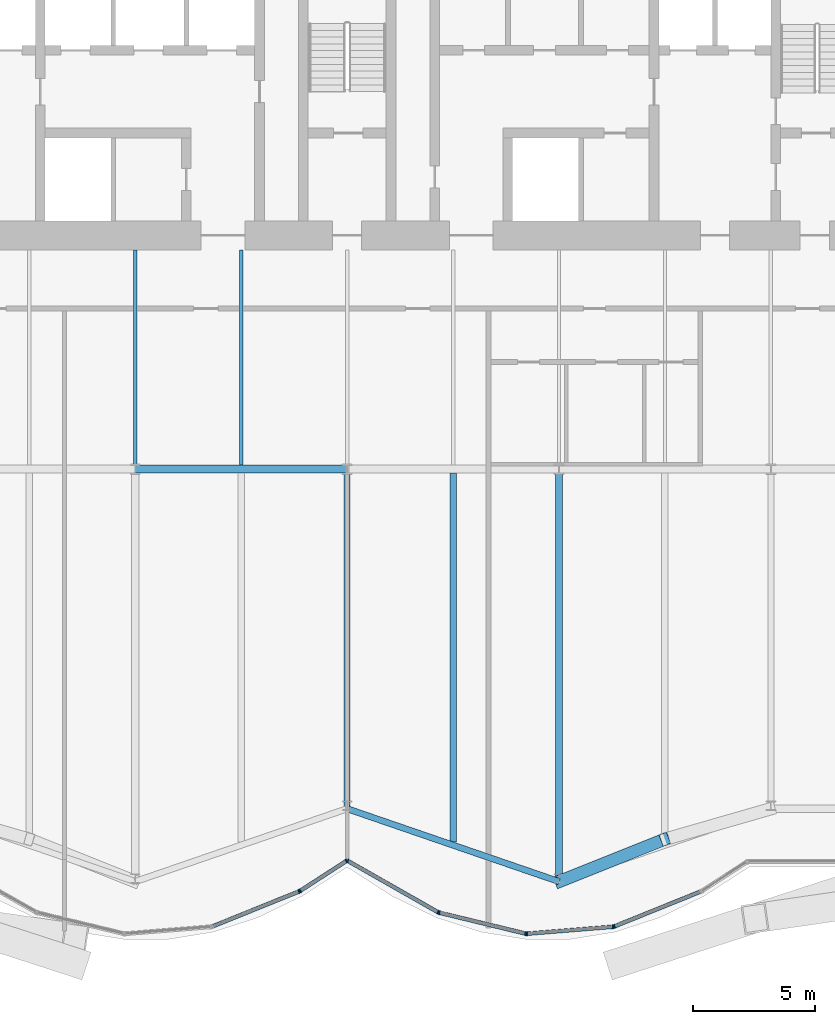
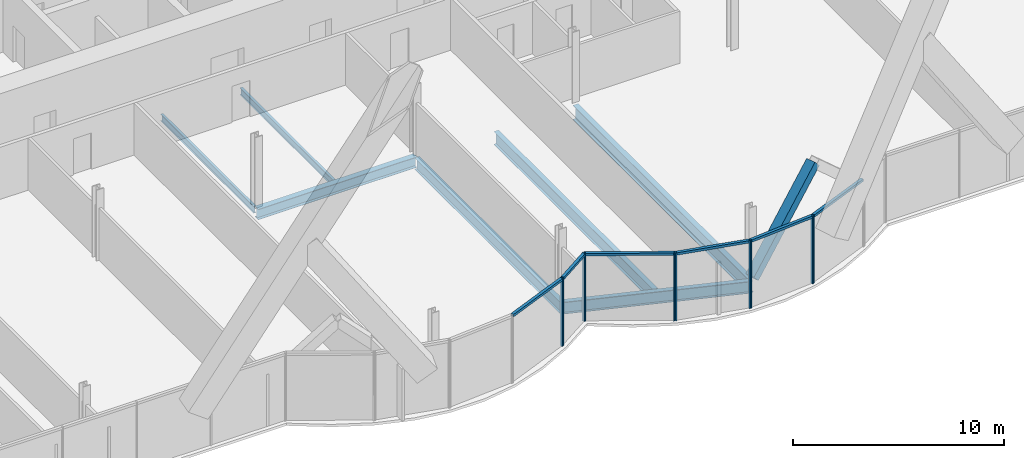
# One storey, part 8 of 22: 17 members, 7 beams, 2 elements without a shape of their own.
"""IFC4 building model written with IfcOpenShell, lengths in metres."""

from ifc_helpers import new_model, si_unit, direction, frame, origin, origin_2d, place, context, subcontext, project, spatial, rectangle, hollow_rectangle, i_section, extrude, material, material_profile, profile_set, type_object, element, aggregate, save


model = new_model("IFC4")

# Units and contexts
model_context = context("Model", 3, precision=1e-05, world=origin(), true_north=direction((0.0, 1.0)))
body_context = subcontext(model_context, "Body", "Model", "MODEL_VIEW")
ifc_project = project(units=[si_unit("LENGTHUNIT", "METRE"), si_unit("AREAUNIT", "SQUARE_METRE"), si_unit("VOLUMEUNIT", "CUBIC_METRE"), si_unit("PLANEANGLEUNIT", "RADIAN"), si_unit("MASSUNIT", "GRAM", prefix="KILO")], contexts=[model_context])

# Site, building, storey
site_placement = place(None, origin())
site = spatial("IfcSite", under=ifc_project, at=site_placement, CompositionType="ELEMENT")
building_placement = place(site_placement, origin())
building = spatial("IfcBuilding", under=site, at=building_placement, Name="Bicima Exchange Tower", CompositionType="ELEMENT")
storey_placement = place(building_placement, frame((0.0, 0.0, 102.199951171875)))
storey = spatial("IfcBuildingStorey", under=building, at=storey_placement, Name="L21", CompositionType="ELEMENT", Elevation=102.199951171875)

# Beams
ifc_material_1 = material(Name="Steel ASTM A992 Gr 50", Category="steel")
ifc_material_profile_1 = material_profile(ifc_material_1, i_section(OverallWidth=0.140380859375, OverallDepth=0.40380859375, WebThickness=0.007080078125, FlangeThickness=0.01123046875, at=origin_2d()))
ifc_profile_set_1 = profile_set([ifc_material_profile_1], Name="Steel ASTM A992 Gr 50")
beam_type_1 = type_object("IfcBeamType", Name="Floor beam W16x31", PredefinedType="JOIST", material=ifc_profile_set_1)
for number, where, z_axis, x_axis, name in (
    (1, (-8.699951171875, -13.0, -0.351806640625), (0.0, -1.0, 0.0), (1.0, 0.0, 0.0), "Floor beam"),
    (2, (-4.35009765625, -13.0, -0.351806640625), (0.0, -1.0, 0.0), (1.0, 0.0, 0.0), "Floor beam"),
):
    element("IfcBeam", number, at=place(storey_placement, frame(where, z_axis=z_axis, x_axis=x_axis)), inside=storey, type_object=beam_type_1, Name=name, PredefinedType="JOIST", context=body_context, shape_type="SweptSolid", body=[
        extrude(i_section(OverallWidth=0.140380859375, OverallDepth=0.40380859375, WebThickness=0.007080078125, FlangeThickness=0.01123046875, at=origin_2d()), origin(), (0.0, 0.0, 1.0), 8.83740234375),
    ])
ifc_material_profile_2 = material_profile(ifc_material_1, i_section(OverallWidth=0.25390625, OverallDepth=0.67822265625, WebThickness=0.01171875, FlangeThickness=0.016357421875, at=origin_2d()))
ifc_profile_set_2 = profile_set([ifc_material_profile_2], Name="Steel ASTM A992 Gr 50")
beam_type_2 = type_object("IfcBeamType", Name="Floor beam W27x84", PredefinedType="JOIST", material=ifc_profile_set_2)
beam_1_placement = place(storey_placement, frame((0.0, -22.16259765625, -0.489013671875), z_axis=(0.0, -1.0, 0.0), x_axis=(1.0, 0.0, 0.0)))
element("IfcBeam", 3, at=beam_1_placement, inside=storey, type_object=beam_type_2, Name="Floor beam", PredefinedType="JOIST", context=body_context, shape_type="SweptSolid", body=[
    extrude(i_section(OverallWidth=0.25390625, OverallDepth=0.67822265625, WebThickness=0.01171875, FlangeThickness=0.016357421875, at=origin_2d()), origin(), (0.0, 0.0, 1.0), 13.77734375),
])
ifc_material_profile_3 = material_profile(ifc_material_1, i_section(OverallWidth=0.2666015625, OverallDepth=0.75439453125, WebThickness=0.01318359375, FlangeThickness=0.01708984375, at=origin_2d()))
ifc_profile_set_3 = profile_set([ifc_material_profile_3], Name="Steel ASTM A992 Gr 50")
beam_type_3 = type_object("IfcBeamType", Name="Floor beam W30x99", PredefinedType="JOIST", material=ifc_profile_set_3)
beam_2_placement = place(storey_placement, frame((4.35009765625, -22.16259765625, -0.527099609375), z_axis=(0.0, -1.0, 0.0), x_axis=(1.0, 0.0, 0.0)))
element("IfcBeam", 4, at=beam_2_placement, inside=storey, type_object=beam_type_3, Name="Floor beam", PredefinedType="JOIST", context=body_context, shape_type="SweptSolid", body=[
    extrude(i_section(OverallWidth=0.2666015625, OverallDepth=0.75439453125, WebThickness=0.01318359375, FlangeThickness=0.01708984375, at=origin_2d()), origin(), (0.0, 0.0, 1.0), 15.13720703125),
])
ifc_material_profile_4 = material_profile(ifc_material_1, i_section(OverallWidth=0.2919921875, OverallDepth=0.835693359375, WebThickness=0.013916015625, FlangeThickness=0.018798828125, at=origin_2d()))
ifc_profile_set_4 = profile_set([ifc_material_profile_4], Name="Steel ASTM A992 Gr 50")
beam_type_4 = type_object("IfcBeamType", Name="Floor beam W33x118", PredefinedType="JOIST", material=ifc_profile_set_4)
beam_3_placement = place(storey_placement, frame((8.699951171875, -22.16259765625, -0.56787109375), z_axis=(0.0, -1.0, 0.0), x_axis=(1.0, 0.0, 0.0)))
element("IfcBeam", 5, at=beam_3_placement, inside=storey, type_object=beam_type_4, Name="Floor beam", PredefinedType="JOIST", context=body_context, shape_type="SweptSolid", body=[
    extrude(i_section(OverallWidth=0.2919921875, OverallDepth=0.835693359375, WebThickness=0.013916015625, FlangeThickness=0.018798828125, at=origin_2d()), origin(), (0.0, 0.0, 1.0), 16.6328125),
])
ifc_material_profile_5 = material_profile(ifc_material_1, i_section(OverallWidth=0.256591796875, OverallDepth=0.693359375, WebThickness=0.014404296875, FlangeThickness=0.023681640625, at=origin_2d()))
ifc_profile_set_5 = profile_set([ifc_material_profile_5], Name="Steel ASTM A992 Gr 50")
beam_type_5 = type_object("IfcBeamType", Name="Front girder W27x114", PredefinedType="BEAM", material=ifc_profile_set_5)
beam_4_placement = place(storey_placement, frame((0.0, -35.93994140625, -0.49658203125), z_axis=(0.945666456746, -0.325138359143, 0.0), x_axis=(0.325138359143, 0.945666456746, 0.0)))
element("IfcBeam", 6, at=beam_4_placement, inside=storey, type_object=beam_type_5, Name="Front girder", PredefinedType="BEAM", context=body_context, shape_type="SweptSolid", body=[
    extrude(i_section(OverallWidth=0.256591796875, OverallDepth=0.693359375, WebThickness=0.014404296875, FlangeThickness=0.023681640625, at=origin_2d()), origin(), (0.0, 0.0, 1.0), 9.19970703125),
])

# Curtain wall, members
ifc_material_2 = material(Name="Anodised bronze aluminium", Category="aluminium")
curtain_wall_type = type_object("IfcCurtainWallType", Name="Front glass wall", PredefinedType="NOTDEFINED", material=ifc_material_2)
curtain_wall_1_placement = place(storey_placement, origin())
curtain_wall_1 = element("IfcCurtainWall", 7, at=curtain_wall_1_placement, inside=storey, type_object=curtain_wall_type, Name="Front glass wall L21 run 6", PredefinedType="NOTDEFINED")
ifc_material_profile_6 = material_profile(ifc_material_2, rectangle(XDim=0.159912109375, YDim=0.06005859375, at=origin_2d()))
ifc_profile_set_6 = profile_set([ifc_material_profile_6], Name="Anodised bronze aluminium")
member_type_1 = type_object("IfcMemberType", Name="Front glass wall mullion 60 x 160", PredefinedType="MULLION", material=ifc_profile_set_6)
member_1_placement = place(storey_placement, frame((-1.97412109375, -39.335693359375, 0.0), z_axis=(0.0, 0.0, 1.0), x_axis=(-0.374705304, 0.92714396679, 0.0)))
member_1 = element("IfcMember", 8, at=member_1_placement, type_object=member_type_1, Name="Front glass wall mullion 2", PredefinedType="MULLION", context=body_context, shape_type="SweptSolid", body=[
    extrude(rectangle(XDim=0.159912109375, YDim=0.06005859375, at=origin_2d()), origin(), (0.0, 0.0, 1.0), 3.949951171875),
])
member_2_placement = place(storey_placement, frame((-1.921142578125, -39.30810546875, 0.0), z_axis=(0.0, 0.0, 1.0), x_axis=(-0.542897457326, 0.839798994301, 0.0)))
member_2 = element("IfcMember", 9, at=member_2_placement, type_object=member_type_1, Name="Front glass wall mullion 1", PredefinedType="MULLION", context=body_context, shape_type="SweptSolid", body=[
    extrude(rectangle(XDim=0.159912109375, YDim=0.06005859375, at=origin_2d()), origin(), (0.0, 0.0, 1.0), 3.949951171875),
])
member_3_placement = place(storey_placement, frame((-0.025146484375, -38.08251953125, 0.0), z_axis=(0.0, 0.0, 1.0), x_axis=(-0.542897457326, 0.839798994301, 0.0)))
member_3 = element("IfcMember", 10, at=member_3_placement, type_object=member_type_1, Name="Front glass wall mullion 2", PredefinedType="MULLION", context=body_context, shape_type="SweptSolid", body=[
    extrude(rectangle(XDim=0.159912109375, YDim=0.06005859375, at=origin_2d()), origin(), (0.0, 0.0, 1.0), 3.949951171875),
])

curtain_wall_2_placement = place(storey_placement, origin())
curtain_wall_2 = element("IfcCurtainWall", 11, at=curtain_wall_2_placement, inside=storey, type_object=curtain_wall_type, Name="Front glass wall L21 run 11", PredefinedType="NOTDEFINED")
member_4_placement = place(storey_placement, frame((0.026123046875, -38.0810546875, 0.0), z_axis=(0.0, 0.0, 1.0), x_axis=(0.494330311331, 0.869274147378, 0.0)))
member_4 = element("IfcMember", 12, at=member_4_placement, type_object=member_type_1, Name="Front glass wall mullion 1", PredefinedType="MULLION", context=body_context, shape_type="SweptSolid", body=[
    extrude(rectangle(XDim=0.159912109375, YDim=0.06005859375, at=origin_2d()), origin(), (0.0, 0.0, 1.0), 3.949951171875),
])
member_5_placement = place(storey_placement, frame((3.7265625, -40.185302734375, 0.0), z_axis=(0.0, 0.0, 1.0), x_axis=(0.494330311331, 0.869274147378, 0.0)))
member_5 = element("IfcMember", 13, at=member_5_placement, type_object=member_type_1, Name="Front glass wall mullion 2", PredefinedType="MULLION", context=body_context, shape_type="SweptSolid", body=[
    extrude(rectangle(XDim=0.159912109375, YDim=0.06005859375, at=origin_2d()), origin(), (0.0, 0.0, 1.0), 3.949951171875),
])
member_6_placement = place(storey_placement, frame((3.781982421875, -40.207275390625, 0.0), z_axis=(0.0, 0.0, 1.0), x_axis=(0.235681529503, 0.971830343553, 0.0)))
member_6 = element("IfcMember", 14, at=member_6_placement, type_object=member_type_1, Name="Front glass wall mullion 1", PredefinedType="MULLION", context=body_context, shape_type="SweptSolid", body=[
    extrude(rectangle(XDim=0.159912109375, YDim=0.06005859375, at=origin_2d()), origin(), (0.0, 0.0, 1.0), 3.949951171875),
])
member_7_placement = place(storey_placement, frame((7.322509765625, -41.06591796875, 0.0), z_axis=(0.0, 0.0, 1.0), x_axis=(0.235681529503, 0.971830343553, 0.0)))
member_7 = element("IfcMember", 15, at=member_7_placement, type_object=member_type_1, Name="Front glass wall mullion 2", PredefinedType="MULLION", context=body_context, shape_type="SweptSolid", body=[
    extrude(rectangle(XDim=0.159912109375, YDim=0.06005859375, at=origin_2d()), origin(), (0.0, 0.0, 1.0), 3.949951171875),
])
member_8_placement = place(storey_placement, frame((7.381591796875, -41.070556640625, 0.0), z_axis=(0.0, 0.0, 1.0), x_axis=(-0.080588612633, 0.99674744821, 0.0)))
member_8 = element("IfcMember", 16, at=member_8_placement, type_object=member_type_1, Name="Front glass wall mullion 1", PredefinedType="MULLION", context=body_context, shape_type="SweptSolid", body=[
    extrude(rectangle(XDim=0.159912109375, YDim=0.06005859375, at=origin_2d()), origin(), (0.0, 0.0, 1.0), 3.949951171875),
])
member_9_placement = place(storey_placement, frame((10.916015625, -40.784912109375, 0.0), z_axis=(0.0, 0.0, 1.0), x_axis=(-0.080588612633, 0.99674744821, 0.0)))
member_9 = element("IfcMember", 17, at=member_9_placement, type_object=member_type_1, Name="Front glass wall mullion 2", PredefinedType="MULLION", context=body_context, shape_type="SweptSolid", body=[
    extrude(rectangle(XDim=0.159912109375, YDim=0.06005859375, at=origin_2d()), origin(), (0.0, 0.0, 1.0), 3.949951171875),
])
member_10_placement = place(storey_placement, frame((10.973876953125, -40.771240234375, 0.0), z_axis=(0.0, 0.0, 1.0), x_axis=(-0.374705304, 0.92714396679, 0.0)))
member_10 = element("IfcMember", 18, at=member_10_placement, type_object=member_type_1, Name="Front glass wall mullion 1", PredefinedType="MULLION", context=body_context, shape_type="SweptSolid", body=[
    extrude(rectangle(XDim=0.159912109375, YDim=0.06005859375, at=origin_2d()), origin(), (0.0, 0.0, 1.0), 3.949951171875),
])

# Member
ifc_material_profile_7 = material_profile(ifc_material_2, rectangle(XDim=0.159912109375, YDim=0.139892578125, at=origin_2d()))
ifc_profile_set_7 = profile_set([ifc_material_profile_7], Name="Anodised bronze aluminium")
member_type_2 = type_object("IfcMemberType", Name="Front glass wall transom 140 x 160", PredefinedType="USERDEFINED", material=ifc_profile_set_7)
member_11_placement = place(storey_placement, frame((-5.498291015625, -40.760009765625, 3.880126953125), z_axis=(0.927117723275, 0.374770232528, 0.0), x_axis=(-0.374770232528, 0.927117723275, 0.0)))
member_11 = element("IfcMember", 19, at=member_11_placement, type_object=member_type_2, Name="Front glass wall transom 1.1", ObjectType="TRANSOM", PredefinedType="USERDEFINED", context=body_context, shape_type="SweptSolid", body=[
    extrude(rectangle(XDim=0.159912109375, YDim=0.139892578125, at=origin_2d()), origin(), (0.0, 0.0, 1.0), 3.771240234375),
])

member_12_placement = place(storey_placement, frame((-1.89599609375, -39.291748046875, 3.880126953125), z_axis=(0.839811483481, 0.542878137536, 0.0), x_axis=(-0.542878137536, 0.839811483481, 0.0)))
member_12 = element("IfcMember", 20, at=member_12_placement, type_object=member_type_2, Name="Front glass wall transom 1.1", ObjectType="TRANSOM", PredefinedType="USERDEFINED", context=body_context, shape_type="SweptSolid", body=[
    extrude(rectangle(XDim=0.159912109375, YDim=0.139892578125, at=origin_2d()), origin(), (0.0, 0.0, 1.0), 2.19775390625),
])

aggregate(curtain_wall_1, [member_1, member_11, member_2, member_3, member_12])

member_13_placement = place(storey_placement, frame((0.05224609375, -38.095703125, 3.880126953125), z_axis=(0.869265121745, -0.494346182466, 0.0), x_axis=(0.494346182466, 0.869265121745, 0.0)))
member_13 = element("IfcMember", 21, at=member_13_placement, type_object=member_type_2, Name="Front glass wall transom 1.1", ObjectType="TRANSOM", PredefinedType="USERDEFINED", context=body_context, shape_type="SweptSolid", body=[
    extrude(rectangle(XDim=0.159912109375, YDim=0.139892578125, at=origin_2d()), origin(), (0.0, 0.0, 1.0), 4.19677734375),
])

member_14_placement = place(storey_placement, frame((3.81103515625, -40.21435546875, 3.880126953125), z_axis=(0.971833557815, -0.235668275132, 0.0), x_axis=(0.235668275132, 0.971833557815, 0.0)))
member_14 = element("IfcMember", 22, at=member_14_placement, type_object=member_type_2, Name="Front glass wall transom 1.1", ObjectType="TRANSOM", PredefinedType="USERDEFINED", context=body_context, shape_type="SweptSolid", body=[
    extrude(rectangle(XDim=0.159912109375, YDim=0.139892578125, at=origin_2d()), origin(), (0.0, 0.0, 1.0), 3.583251953125),
])

member_15_placement = place(storey_placement, frame((7.41162109375, -41.068115234375, 3.880126953125), z_axis=(0.9967456465, 0.080610893699, 0.0), x_axis=(-0.080610893699, 0.9967456465, 0.0)))
member_15 = element("IfcMember", 23, at=member_15_placement, type_object=member_type_2, Name="Front glass wall transom 1.1", ObjectType="TRANSOM", PredefinedType="USERDEFINED", context=body_context, shape_type="SweptSolid", body=[
    extrude(rectangle(XDim=0.159912109375, YDim=0.139892578125, at=origin_2d()), origin(), (0.0, 0.0, 1.0), 3.48583984375),
])

member_16_placement = place(storey_placement, frame((11.001708984375, -40.760009765625, 3.880126953125), z_axis=(0.927117723275, 0.374770232528, 0.0), x_axis=(-0.374770232528, 0.927117723275, 0.0)))
member_16 = element("IfcMember", 24, at=member_16_placement, type_object=member_type_2, Name="Front glass wall transom 1.1", ObjectType="TRANSOM", PredefinedType="USERDEFINED", context=body_context, shape_type="SweptSolid", body=[
    extrude(rectangle(XDim=0.159912109375, YDim=0.139892578125, at=origin_2d()), origin(), (0.0, 0.0, 1.0), 3.771240234375),
])

aggregate(curtain_wall_2, [member_4, member_5, member_13, member_6, member_7, member_14, member_8, member_9, member_15, member_10, member_16])

ifc_material_3 = material(Name="Steel ASTM A572 Gr 50", Category="steel")
ifc_material_profile_8 = material_profile(ifc_material_3, hollow_rectangle(XDim=0.508056640625, YDim=0.508056640625, WallThickness=0.0146484375, at=origin_2d()))
ifc_profile_set_8 = profile_set([ifc_material_profile_8], Name="Steel ASTM A572 Gr 50")
member_type_3 = type_object("IfcMemberType", Name="Mega brace HSS20x20x5/8", PredefinedType="BRACE", material=ifc_profile_set_8)
member_17_placement = place(storey_placement, frame((8.699951171875, -38.93115234375, 0.0), z_axis=(0.698718538106, 0.279440358208, 0.65856320176), x_axis=(-0.3713367687, 0.928498252132, 0.0)))
element("IfcMember", 25, at=member_17_placement, inside=storey, type_object=member_type_3, Name="Mega brace front", PredefinedType="BRACE", context=body_context, shape_type="SweptSolid", body=[
    extrude(hollow_rectangle(XDim=0.508056640625, YDim=0.508056640625, WallThickness=0.0146484375, at=origin_2d()), origin(), (0.0, 0.0, 1.0), 6.225830078125),
])

# Beam
ifc_material_profile_9 = material_profile(ifc_material_1, i_section(OverallWidth=0.3251953125, OverallDepth=0.612060546875, WebThickness=0.0126953125, FlangeThickness=0.01904296875, at=origin_2d()))
ifc_profile_set_9 = profile_set([ifc_material_profile_9], Name="Steel ASTM A992 Gr 50")
beam_type_6 = type_object("IfcBeamType", Name="Row girder W24x104", PredefinedType="BEAM", material=ifc_profile_set_9)
beam_5_placement = place(storey_placement, frame((-8.699951171875, -22.0, -0.4560546875), z_axis=(1.0, 0.0, 0.0), x_axis=(0.0, 1.0, 0.0)))
element("IfcBeam", 26, at=beam_5_placement, inside=storey, type_object=beam_type_6, Name="Row girder", PredefinedType="BEAM", context=body_context, shape_type="SweptSolid", body=[
    extrude(i_section(OverallWidth=0.3251953125, OverallDepth=0.612060546875, WebThickness=0.0126953125, FlangeThickness=0.01904296875, at=origin_2d()), origin(), (0.0, 0.0, 1.0), 8.699951171875),
])

save(model, "model.ifc")
